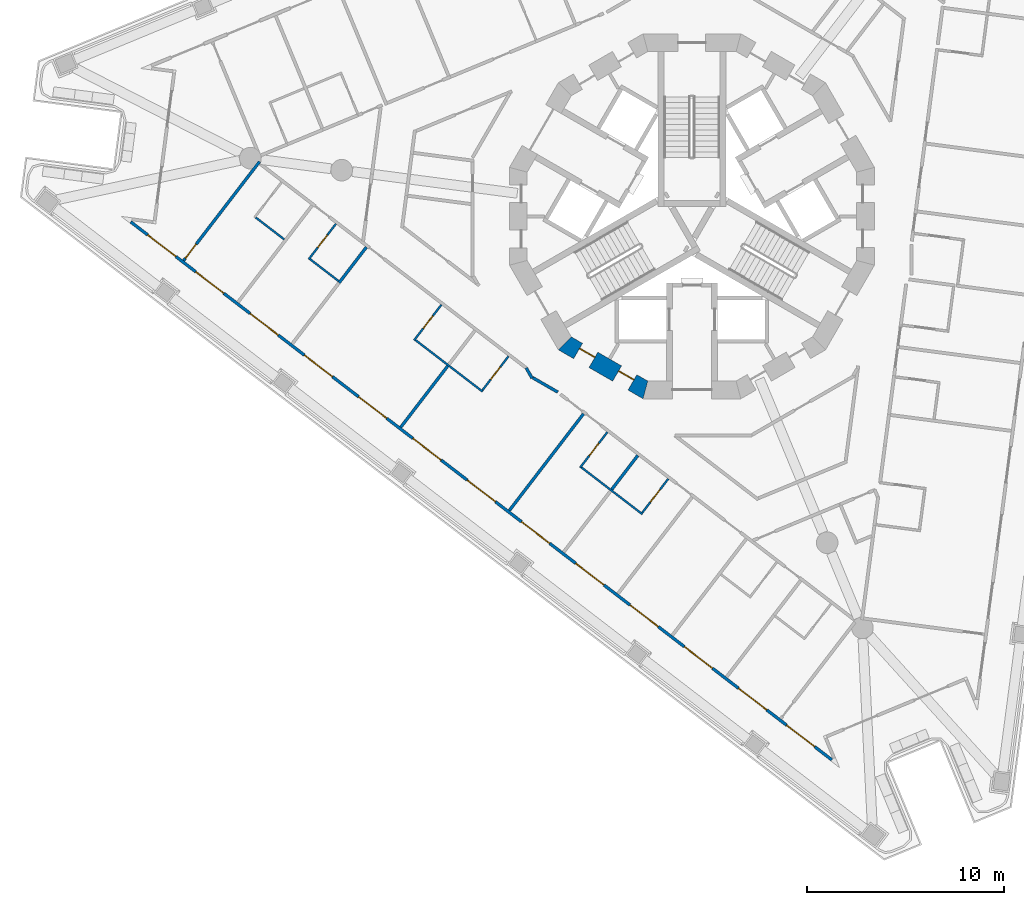
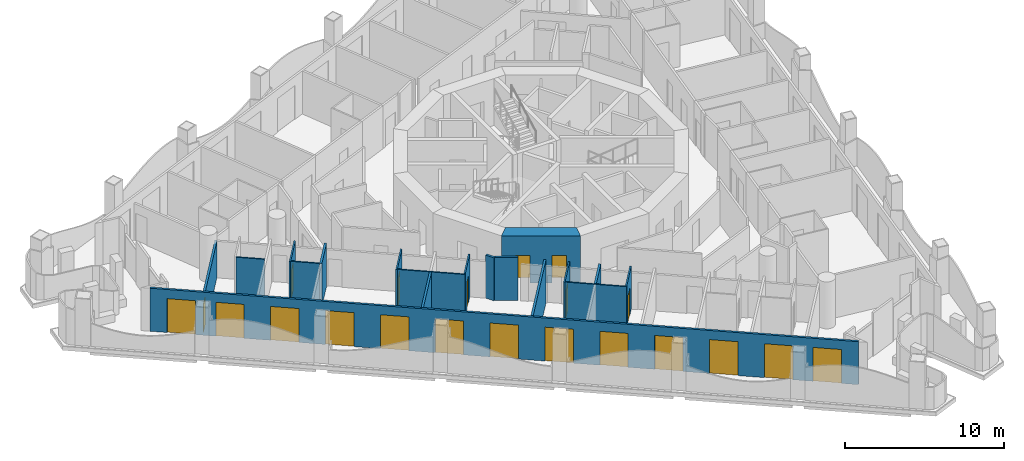
# One storey, part 2 of 17: 21 doors, 18 walls, 21 openings.
"""IFC4 building model written with IfcOpenShell, lengths in metres."""

from ifc_helpers import new_model, si_unit, direction, frame, frame_2d, origin, place, context, subcontext, project, spatial, polyline, rectangle, outline, extrude, material, layer, layer_set, type_object, element, fill, save


model = new_model("IFC4")

# Units and contexts
model_context = context("Model", 3, precision=1e-05, world=origin(), true_north=direction((0.0, 1.0)))
body_context = subcontext(model_context, "Body", "Model", "MODEL_VIEW")
ifc_project = project(units=[si_unit("LENGTHUNIT", "METRE"), si_unit("AREAUNIT", "SQUARE_METRE"), si_unit("VOLUMEUNIT", "CUBIC_METRE"), si_unit("PLANEANGLEUNIT", "RADIAN"), si_unit("MASSUNIT", "GRAM", prefix="KILO")], contexts=[model_context])

# Site, building, storey
site_placement = place(None, origin())
site = spatial("IfcSite", under=ifc_project, at=site_placement, CompositionType="ELEMENT")
building_placement = place(site_placement, origin())
building = spatial("IfcBuilding", under=site, at=building_placement, Name="Trine Commons Tower", CompositionType="ELEMENT")
storey_placement = place(building_placement, frame((0.0, 0.0, 131.39990234375)))
storey = spatial("IfcBuildingStorey", under=building, at=storey_placement, Name="L33", CompositionType="ELEMENT", Elevation=131.39990234375)

# Wall, openings, doors
ifc_material_1 = material(Name="Aluminium-framed insulated wall panel", Category="aluminium")
ifc_layer_1 = layer(ifc_material_1, 0.14990234375)
ifc_layer_set_1 = layer_set([ifc_layer_1], Name="Aluminium-framed insulated wall panel")
wall_type_1 = type_object("IfcWallType", Name="Glazed frame wall 150, EI 60", PredefinedType="SOLIDWALL", material=ifc_layer_set_1)
wall_1_placement = place(storey_placement, frame((87.22509765625, 34.786376953125, 0.0), z_axis=(0.0, 0.0, 1.0), x_axis=(-0.793353605974, 0.608761082764, 0.0)))
wall_1 = element("IfcWall", 1, at=wall_1_placement, inside=storey, type_object=wall_type_1, Name="Glazed frame wall F3", PredefinedType="SOLIDWALL", context=body_context, shape_type="SweptSolid", body=[
    extrude(outline(polyline([(0.1494140625, 0.074951171875), (0.1494140625, -0.074951171875), (45.056884765625, -0.074951171875), (45.056884765625, 0.074951171875), (0.1494140625, 0.074951171875)])), origin(), (0.0, 0.0, 1.0), 3.300048828125),
])
opening_1_placement = place(wall_1_placement, frame((1.23876953125, 0.0, 0.0)))
opening_1 = element("IfcOpeningElement", 2, at=opening_1_placement, cuts=wall_1, Name="Opening BD-4F3-01", PredefinedType="OPENING", context=body_context, shape_type="SweptSolid", body=[
    extrude(rectangle(XDim=1.800048828125, YDim=2.60009765625, at=frame_2d((0.89990234375, 1.300048828125))), frame((0.0, 0.0849609375, 0.0), z_axis=(0.0, -1.0, 0.0), x_axis=(1.0, 0.0, 0.0)), (0.0, 0.0, 1.0), 0.169921875),
])
opening_2_placement = place(wall_1_placement, frame((4.316162109375, 0.0, 0.0)))
opening_2 = element("IfcOpeningElement", 3, at=opening_2_placement, cuts=wall_1, Name="Opening BD-4F3-02", PredefinedType="OPENING", context=body_context, shape_type="SweptSolid", body=[
    extrude(rectangle(XDim=1.800048828125, YDim=2.60009765625, at=frame_2d((0.89990234375, 1.300048828125))), frame((0.0, 0.0849609375, 0.0), z_axis=(0.0, -1.0, 0.0), x_axis=(1.0, 0.0, 0.0)), (0.0, 0.0, 1.0), 0.169921875),
])
opening_3_placement = place(wall_1_placement, frame((7.79345703125, 0.0, 0.0)))
opening_3 = element("IfcOpeningElement", 4, at=opening_3_placement, cuts=wall_1, Name="Opening BD-4F3-03", PredefinedType="OPENING", context=body_context, shape_type="SweptSolid", body=[
    extrude(rectangle(XDim=1.800048828125, YDim=2.60009765625, at=frame_2d((0.89990234375, 1.300048828125))), frame((0.0, 0.0849609375, 0.0), z_axis=(0.0, -1.0, 0.0), x_axis=(1.0, 0.0, 0.0)), (0.0, 0.0, 1.0), 0.169921875),
])
opening_4_placement = place(wall_1_placement, frame((11.27099609375, 0.0, 0.0)))
opening_4 = element("IfcOpeningElement", 5, at=opening_4_placement, cuts=wall_1, Name="Opening BD-4F3-04", PredefinedType="OPENING", context=body_context, shape_type="SweptSolid", body=[
    extrude(rectangle(XDim=1.800048828125, YDim=2.60009765625, at=frame_2d((0.89990234375, 1.300048828125))), frame((0.0, 0.0849609375, 0.0), z_axis=(0.0, -1.0, 0.0), x_axis=(1.0, 0.0, 0.0)), (0.0, 0.0, 1.0), 0.169921875),
])
opening_5_placement = place(wall_1_placement, frame((14.748291015625, 0.0, 0.0)))
opening_5 = element("IfcOpeningElement", 6, at=opening_5_placement, cuts=wall_1, Name="Opening BD-4F3-05", PredefinedType="OPENING", context=body_context, shape_type="SweptSolid", body=[
    extrude(rectangle(XDim=1.800048828125, YDim=2.60009765625, at=frame_2d((0.89990234375, 1.300048828125))), frame((0.0, 0.0849609375, 0.0), z_axis=(0.0, -1.0, 0.0), x_axis=(1.0, 0.0, 0.0)), (0.0, 0.0, 1.0), 0.169921875),
])
opening_6_placement = place(wall_1_placement, frame((18.2255859375, 0.0, 0.0)))
opening_6 = element("IfcOpeningElement", 7, at=opening_6_placement, cuts=wall_1, Name="Opening BD-4F3-06", PredefinedType="OPENING", context=body_context, shape_type="SweptSolid", body=[
    extrude(rectangle(XDim=1.800048828125, YDim=2.60009765625, at=frame_2d((0.89990234375, 1.300048828125))), frame((0.0, 0.0849609375, 0.0), z_axis=(0.0, -1.0, 0.0), x_axis=(1.0, 0.0, 0.0)), (0.0, 0.0, 1.0), 0.169921875),
])
opening_7_placement = place(wall_1_placement, frame((21.703125, 0.0, 0.0)))
opening_7 = element("IfcOpeningElement", 8, at=opening_7_placement, cuts=wall_1, Name="Opening BD-4F3-07", PredefinedType="OPENING", context=body_context, shape_type="SweptSolid", body=[
    extrude(rectangle(XDim=1.800048828125, YDim=2.60009765625, at=frame_2d((0.89990234375, 1.300048828125))), frame((0.0, 0.0849609375, 0.0), z_axis=(0.0, -1.0, 0.0), x_axis=(1.0, 0.0, 0.0)), (0.0, 0.0, 1.0), 0.169921875),
])
opening_8_placement = place(wall_1_placement, frame((25.180419921875, 0.0, 0.0)))
opening_8 = element("IfcOpeningElement", 9, at=opening_8_placement, cuts=wall_1, Name="Opening BD-4F3-08", PredefinedType="OPENING", context=body_context, shape_type="SweptSolid", body=[
    extrude(rectangle(XDim=1.800048828125, YDim=2.60009765625, at=frame_2d((0.89990234375, 1.300048828125))), frame((0.0, 0.0849609375, 0.0), z_axis=(0.0, -1.0, 0.0), x_axis=(1.0, 0.0, 0.0)), (0.0, 0.0, 1.0), 0.169921875),
])
opening_9_placement = place(wall_1_placement, frame((28.657958984375, 0.0, 0.0)))
opening_9 = element("IfcOpeningElement", 10, at=opening_9_placement, cuts=wall_1, Name="Opening BD-4F3-09", PredefinedType="OPENING", context=body_context, shape_type="SweptSolid", body=[
    extrude(rectangle(XDim=1.800048828125, YDim=2.60009765625, at=frame_2d((0.89990234375, 1.300048828125))), frame((0.0, 0.0849609375, 0.0), z_axis=(0.0, -1.0, 0.0), x_axis=(1.0, 0.0, 0.0)), (0.0, 0.0, 1.0), 0.169921875),
])
opening_10_placement = place(wall_1_placement, frame((32.13525390625, 0.0, 0.0)))
opening_10 = element("IfcOpeningElement", 11, at=opening_10_placement, cuts=wall_1, Name="Opening BD-4F3-10", PredefinedType="OPENING", context=body_context, shape_type="SweptSolid", body=[
    extrude(rectangle(XDim=1.800048828125, YDim=2.60009765625, at=frame_2d((0.89990234375, 1.300048828125))), frame((0.0, 0.0849609375, 0.0), z_axis=(0.0, -1.0, 0.0), x_axis=(1.0, 0.0, 0.0)), (0.0, 0.0, 1.0), 0.169921875),
])
opening_11_placement = place(wall_1_placement, frame((35.61279296875, 0.0, 0.0)))
opening_11 = element("IfcOpeningElement", 12, at=opening_11_placement, cuts=wall_1, Name="Opening BD-4F3-11", PredefinedType="OPENING", context=body_context, shape_type="SweptSolid", body=[
    extrude(rectangle(XDim=1.800048828125, YDim=2.60009765625, at=frame_2d((0.89990234375, 1.300048828125))), frame((0.0, 0.0849609375, 0.0), z_axis=(0.0, -1.0, 0.0), x_axis=(1.0, 0.0, 0.0)), (0.0, 0.0, 1.0), 0.169921875),
])
opening_12_placement = place(wall_1_placement, frame((39.090087890625, 0.0, 0.0)))
opening_12 = element("IfcOpeningElement", 13, at=opening_12_placement, cuts=wall_1, Name="Opening BD-4F3-12", PredefinedType="OPENING", context=body_context, shape_type="SweptSolid", body=[
    extrude(rectangle(XDim=1.800048828125, YDim=2.60009765625, at=frame_2d((0.89990234375, 1.300048828125))), frame((0.0, 0.0849609375, 0.0), z_axis=(0.0, -1.0, 0.0), x_axis=(1.0, 0.0, 0.0)), (0.0, 0.0, 1.0), 0.169921875),
])
opening_13_placement = place(wall_1_placement, frame((42.16748046875, 0.0, 0.0)))
opening_13 = element("IfcOpeningElement", 14, at=opening_13_placement, cuts=wall_1, Name="Opening BD-4F3-13", PredefinedType="OPENING", context=body_context, shape_type="SweptSolid", body=[
    extrude(rectangle(XDim=1.800048828125, YDim=2.60009765625, at=frame_2d((0.89990234375, 1.300048828125))), frame((0.0, 0.0849609375, 0.0), z_axis=(0.0, -1.0, 0.0), x_axis=(1.0, 0.0, 0.0)), (0.0, 0.0, 1.0), 0.169921875),
])
ifc_material_2 = material(Name="Anodised aluminium frame with double glazing", Category="aluminium")
door_type_1 = type_object("IfcDoorType", Name="Sliding loggia door 1800x2600", OperationType="SLIDING_TO_LEFT", PredefinedType="DOOR", material=ifc_material_2)
door_1_placement = place(opening_1_placement, origin())
door_1 = element("IfcDoor", 15, at=door_1_placement, inside=storey, type_object=door_type_1, Name="Loggia door F3 1", OperationType="SLIDING_TO_LEFT", OverallHeight=2.60009765625, OverallWidth=1.800048828125, PredefinedType="DOOR", context=body_context, shape_type="SweptSolid", body=[
    extrude(rectangle(XDim=1.800048828125, YDim=2.60009765625, at=frame_2d((0.89990234375, 1.300048828125))), frame((0.0, 0.02490234375, 0.0), z_axis=(0.0, -1.0, 0.0), x_axis=(1.0, 0.0, 0.0)), (0.0, 0.0, 1.0), 0.050048828125),
])
fill(opening_1, door_1)
door_2_placement = place(opening_2_placement, origin())
door_2 = element("IfcDoor", 16, at=door_2_placement, inside=storey, type_object=door_type_1, Name="Loggia door F3 2", OperationType="SLIDING_TO_LEFT", OverallHeight=2.60009765625, OverallWidth=1.800048828125, PredefinedType="DOOR", context=body_context, shape_type="SweptSolid", body=[
    extrude(rectangle(XDim=1.800048828125, YDim=2.60009765625, at=frame_2d((0.89990234375, 1.300048828125))), frame((0.0, 0.02490234375, 0.0), z_axis=(0.0, -1.0, 0.0), x_axis=(1.0, 0.0, 0.0)), (0.0, 0.0, 1.0), 0.050048828125),
])
fill(opening_2, door_2)
door_3_placement = place(opening_3_placement, origin())
door_3 = element("IfcDoor", 17, at=door_3_placement, inside=storey, type_object=door_type_1, Name="Loggia door F3 3", OperationType="SLIDING_TO_LEFT", OverallHeight=2.60009765625, OverallWidth=1.800048828125, PredefinedType="DOOR", context=body_context, shape_type="SweptSolid", body=[
    extrude(rectangle(XDim=1.800048828125, YDim=2.60009765625, at=frame_2d((0.89990234375, 1.300048828125))), frame((0.0, 0.02490234375, 0.0), z_axis=(0.0, -1.0, 0.0), x_axis=(1.0, 0.0, 0.0)), (0.0, 0.0, 1.0), 0.050048828125),
])
fill(opening_3, door_3)
door_4_placement = place(opening_4_placement, origin())
door_4 = element("IfcDoor", 18, at=door_4_placement, inside=storey, type_object=door_type_1, Name="Loggia door F3 4", OperationType="SLIDING_TO_LEFT", OverallHeight=2.60009765625, OverallWidth=1.800048828125, PredefinedType="DOOR", context=body_context, shape_type="SweptSolid", body=[
    extrude(rectangle(XDim=1.800048828125, YDim=2.60009765625, at=frame_2d((0.89990234375, 1.300048828125))), frame((0.0, 0.02490234375, 0.0), z_axis=(0.0, -1.0, 0.0), x_axis=(1.0, 0.0, 0.0)), (0.0, 0.0, 1.0), 0.050048828125),
])
fill(opening_4, door_4)
door_5_placement = place(opening_5_placement, origin())
door_5 = element("IfcDoor", 19, at=door_5_placement, inside=storey, type_object=door_type_1, Name="Loggia door F3 5", OperationType="SLIDING_TO_LEFT", OverallHeight=2.60009765625, OverallWidth=1.800048828125, PredefinedType="DOOR", context=body_context, shape_type="SweptSolid", body=[
    extrude(rectangle(XDim=1.800048828125, YDim=2.60009765625, at=frame_2d((0.89990234375, 1.300048828125))), frame((0.0, 0.02490234375, 0.0), z_axis=(0.0, -1.0, 0.0), x_axis=(1.0, 0.0, 0.0)), (0.0, 0.0, 1.0), 0.050048828125),
])
fill(opening_5, door_5)
door_6_placement = place(opening_6_placement, origin())
door_6 = element("IfcDoor", 20, at=door_6_placement, inside=storey, type_object=door_type_1, Name="Loggia door F3 6", OperationType="SLIDING_TO_LEFT", OverallHeight=2.60009765625, OverallWidth=1.800048828125, PredefinedType="DOOR", context=body_context, shape_type="SweptSolid", body=[
    extrude(rectangle(XDim=1.800048828125, YDim=2.60009765625, at=frame_2d((0.89990234375, 1.300048828125))), frame((0.0, 0.02490234375, 0.0), z_axis=(0.0, -1.0, 0.0), x_axis=(1.0, 0.0, 0.0)), (0.0, 0.0, 1.0), 0.050048828125),
])
fill(opening_6, door_6)
door_7_placement = place(opening_7_placement, origin())
door_7 = element("IfcDoor", 21, at=door_7_placement, inside=storey, type_object=door_type_1, Name="Loggia door F3 7", OperationType="SLIDING_TO_LEFT", OverallHeight=2.60009765625, OverallWidth=1.800048828125, PredefinedType="DOOR", context=body_context, shape_type="SweptSolid", body=[
    extrude(rectangle(XDim=1.800048828125, YDim=2.60009765625, at=frame_2d((0.89990234375, 1.300048828125))), frame((0.0, 0.02490234375, 0.0), z_axis=(0.0, -1.0, 0.0), x_axis=(1.0, 0.0, 0.0)), (0.0, 0.0, 1.0), 0.050048828125),
])
fill(opening_7, door_7)
door_8_placement = place(opening_8_placement, origin())
door_8 = element("IfcDoor", 22, at=door_8_placement, inside=storey, type_object=door_type_1, Name="Loggia door F3 8", OperationType="SLIDING_TO_LEFT", OverallHeight=2.60009765625, OverallWidth=1.800048828125, PredefinedType="DOOR", context=body_context, shape_type="SweptSolid", body=[
    extrude(rectangle(XDim=1.800048828125, YDim=2.60009765625, at=frame_2d((0.89990234375, 1.300048828125))), frame((0.0, 0.02490234375, 0.0), z_axis=(0.0, -1.0, 0.0), x_axis=(1.0, 0.0, 0.0)), (0.0, 0.0, 1.0), 0.050048828125),
])
fill(opening_8, door_8)
door_9_placement = place(opening_9_placement, origin())
door_9 = element("IfcDoor", 23, at=door_9_placement, inside=storey, type_object=door_type_1, Name="Loggia door F3 9", OperationType="SLIDING_TO_LEFT", OverallHeight=2.60009765625, OverallWidth=1.800048828125, PredefinedType="DOOR", context=body_context, shape_type="SweptSolid", body=[
    extrude(rectangle(XDim=1.800048828125, YDim=2.60009765625, at=frame_2d((0.89990234375, 1.300048828125))), frame((0.0, 0.02490234375, 0.0), z_axis=(0.0, -1.0, 0.0), x_axis=(1.0, 0.0, 0.0)), (0.0, 0.0, 1.0), 0.050048828125),
])
fill(opening_9, door_9)
door_10_placement = place(opening_10_placement, origin())
door_10 = element("IfcDoor", 24, at=door_10_placement, inside=storey, type_object=door_type_1, Name="Loggia door F3 10", OperationType="SLIDING_TO_LEFT", OverallHeight=2.60009765625, OverallWidth=1.800048828125, PredefinedType="DOOR", context=body_context, shape_type="SweptSolid", body=[
    extrude(rectangle(XDim=1.800048828125, YDim=2.60009765625, at=frame_2d((0.89990234375, 1.300048828125))), frame((0.0, 0.02490234375, 0.0), z_axis=(0.0, -1.0, 0.0), x_axis=(1.0, 0.0, 0.0)), (0.0, 0.0, 1.0), 0.050048828125),
])
fill(opening_10, door_10)
door_11_placement = place(opening_11_placement, origin())
door_11 = element("IfcDoor", 25, at=door_11_placement, inside=storey, type_object=door_type_1, Name="Loggia door F3 11", OperationType="SLIDING_TO_LEFT", OverallHeight=2.60009765625, OverallWidth=1.800048828125, PredefinedType="DOOR", context=body_context, shape_type="SweptSolid", body=[
    extrude(rectangle(XDim=1.800048828125, YDim=2.60009765625, at=frame_2d((0.89990234375, 1.300048828125))), frame((0.0, 0.02490234375, 0.0), z_axis=(0.0, -1.0, 0.0), x_axis=(1.0, 0.0, 0.0)), (0.0, 0.0, 1.0), 0.050048828125),
])
fill(opening_11, door_11)
door_12_placement = place(opening_12_placement, origin())
door_12 = element("IfcDoor", 26, at=door_12_placement, inside=storey, type_object=door_type_1, Name="Loggia door F3 12", OperationType="SLIDING_TO_LEFT", OverallHeight=2.60009765625, OverallWidth=1.800048828125, PredefinedType="DOOR", context=body_context, shape_type="SweptSolid", body=[
    extrude(rectangle(XDim=1.800048828125, YDim=2.60009765625, at=frame_2d((0.89990234375, 1.300048828125))), frame((0.0, 0.02490234375, 0.0), z_axis=(0.0, -1.0, 0.0), x_axis=(1.0, 0.0, 0.0)), (0.0, 0.0, 1.0), 0.050048828125),
])
fill(opening_12, door_12)
door_13_placement = place(opening_13_placement, origin())
door_13 = element("IfcDoor", 27, at=door_13_placement, inside=storey, type_object=door_type_1, Name="Loggia door F3 13", OperationType="SLIDING_TO_LEFT", OverallHeight=2.60009765625, OverallWidth=1.800048828125, PredefinedType="DOOR", context=body_context, shape_type="SweptSolid", body=[
    extrude(rectangle(XDim=1.800048828125, YDim=2.60009765625, at=frame_2d((0.89990234375, 1.300048828125))), frame((0.0, 0.02490234375, 0.0), z_axis=(0.0, -1.0, 0.0), x_axis=(1.0, 0.0, 0.0)), (0.0, 0.0, 1.0), 0.050048828125),
])
fill(opening_13, door_13)

ifc_material_3 = material(Name="Concrete C70/85", Category="concrete")
ifc_layer_2 = layer(ifc_material_3, 0.89990234375)
ifc_layer_set_2 = layer_set([ifc_layer_2], Name="Concrete C70/85")
wall_type_2 = type_object("IfcWallType", Name="RC shear wall 900 mm, C70/85", PredefinedType="SHEAR", material=ifc_layer_set_2)
wall_2_placement = place(storey_placement, frame((73.436767578125, 56.1015625, 0.0), z_axis=(0.0, 0.0, 1.0), x_axis=(0.866003133579, -0.500038571144, 0.0)))
wall_2 = element("IfcWall", 28, at=wall_2_placement, inside=storey, type_object=wall_type_2, Name="Core wall CWD-09 L33", PredefinedType="SHEAR", context=body_context, shape_type="SweptSolid", body=[
    extrude(outline(polyline([(0.0, -0.449951171875), (4.96923828125, -0.449951171875), (4.72802734375, 0.449951171875), (0.2412109375, 0.449951171875), (0.0, -0.449951171875)])), origin(), (0.0, 0.0, 1.0), 3.60009765625),
])
opening_14_placement = place(wall_2_placement, frame((0.89599609375, 0.0, 0.0)))
opening_14 = element("IfcOpeningElement", 29, at=opening_14_placement, cuts=wall_2, Name="Opening K12.18", PredefinedType="OPENING", context=body_context, shape_type="SweptSolid", body=[
    extrude(rectangle(XDim=0.89990234375, YDim=2.10009765625, at=frame_2d((0.449951171875, 1.050048828125))), frame((0.0, 0.4599609375, 0.0), z_axis=(0.0, -1.0, 0.0), x_axis=(1.0, 0.0, 0.0)), (0.0, 0.0, 1.0), 0.919921875),
])
opening_15_placement = place(wall_2_placement, frame((3.18505859375, 0.0, 0.0)))
opening_15 = element("IfcOpeningElement", 30, at=opening_15_placement, cuts=wall_2, Name="Opening K12.19", PredefinedType="OPENING", context=body_context, shape_type="SweptSolid", body=[
    extrude(rectangle(XDim=0.89990234375, YDim=2.10009765625, at=frame_2d((0.449951171875, 1.050048828125))), frame((0.0, 0.4599609375, 0.0), z_axis=(0.0, -1.0, 0.0), x_axis=(1.0, 0.0, 0.0)), (0.0, 0.0, 1.0), 0.919921875),
])
ifc_material_4 = material(Name="Steel door leaf, fire-rated", Category="steel")
door_type_2 = type_object("IfcDoorType", Name="Core room door, single leaf 900 x 2100, FD30S", OperationType="SINGLE_SWING_LEFT", PredefinedType="DOOR", material=ifc_material_4)
door_14_placement = place(opening_14_placement, origin())
door_14 = element("IfcDoor", 31, at=door_14_placement, inside=storey, type_object=door_type_2, Name="Door to Print room L33", OperationType="SINGLE_SWING_LEFT", OverallHeight=2.10009765625, OverallWidth=0.89990234375, PredefinedType="DOOR", context=body_context, shape_type="SweptSolid", body=[
    extrude(rectangle(XDim=0.89990234375, YDim=2.10009765625, at=frame_2d((0.449951171875, 1.050048828125))), frame((0.0, 0.1748046875, 0.0), z_axis=(0.0, -1.0, 0.0), x_axis=(1.0, 0.0, 0.0)), (0.0, 0.0, 1.0), 0.050048828125),
])
fill(opening_14, door_14)
door_15_placement = place(opening_15_placement, origin())
door_15 = element("IfcDoor", 32, at=door_15_placement, inside=storey, type_object=door_type_2, Name="Door to Core WC L33", OperationType="SINGLE_SWING_RIGHT", OverallHeight=2.10009765625, OverallWidth=0.89990234375, PredefinedType="DOOR", context=body_context, shape_type="SweptSolid", body=[
    extrude(rectangle(XDim=0.89990234375, YDim=2.10009765625, at=frame_2d((0.449951171875, 1.050048828125))), frame((0.0, 0.1748046875, 0.0), z_axis=(0.0, -1.0, 0.0), x_axis=(1.0, 0.0, 0.0)), (0.0, 0.0, 1.0), 0.050048828125),
])
fill(opening_15, door_15)

# Wall, opening, door
ifc_material_5 = material(Name="Gypsum plasterboard on steel stud", Category="steel")
ifc_layer_3 = layer(ifc_material_5, 0.14990234375)
ifc_layer_set_3 = layer_set([ifc_layer_3], Name="Gypsum plasterboard on steel stud")
wall_type_3 = type_object("IfcWallType", Name="Unit and corridor wall 150 mm, EI 60", PredefinedType="PARTITIONING", material=ifc_layer_set_3)
wall_3_placement = place(storey_placement, frame((54.165283203125, 60.248779296875, 0.0), z_axis=(0.0, 0.0, 1.0), x_axis=(0.608817658648, 0.793310190605, 0.0)))
wall_3 = element("IfcWall", 33, at=wall_3_placement, inside=storey, type_object=wall_type_3, Name="Partition 001", PredefinedType="PARTITIONING", context=body_context, shape_type="SweptSolid", body=[
    extrude(rectangle(XDim=6.343994140625, YDim=0.14990234375, at=frame_2d((3.171875, 0.0))), origin(), (0.0, 0.0, 1.0), 2.800048828125),
])
opening_16_placement = place(wall_3_placement, frame((0.14990234375, 0.0, 0.0)))
opening_16 = element("IfcOpeningElement", 34, at=opening_16_placement, cuts=wall_3, Name="Opening D-4A31", PredefinedType="OPENING", context=body_context, shape_type="SweptSolid", body=[
    extrude(rectangle(XDim=0.89990234375, YDim=2.10009765625, at=frame_2d((0.449951171875, 1.050048828125))), frame((0.0, 0.0849609375, 0.0), z_axis=(0.0, -1.0, 0.0), x_axis=(1.0, 0.0, 0.0)), (0.0, 0.0, 1.0), 0.169921875),
])
ifc_material_6 = material(Name="Timber fire door set", Category="wood")
door_type_3 = type_object("IfcDoorType", Name="Bedroom door 900 x 2100, FD30S", OperationType="NOTDEFINED", PredefinedType="DOOR", material=ifc_material_6)
door_16_placement = place(opening_16_placement, frame((0.89990234375, 0.0, 0.0), z_axis=(0.0, 0.0, 1.0), x_axis=(-1.0, 0.0, 0.0)))
door_16 = element("IfcDoor", 35, at=door_16_placement, inside=storey, type_object=door_type_3, Name="Door D-4A31", OperationType="SINGLE_SWING_RIGHT", OverallHeight=2.10009765625, OverallWidth=0.89990234375, PredefinedType="DOOR", context=body_context, shape_type="SweptSolid", body=[
    extrude(rectangle(XDim=0.89990234375, YDim=2.10009765625, at=frame_2d((0.449951171875, 1.050048828125))), frame((0.0, 0.02490234375, 0.0), z_axis=(0.0, -1.0, 0.0), x_axis=(1.0, 0.0, 0.0)), (0.0, 0.0, 1.0), 0.050048828125),
])
fill(opening_16, door_16)

# Walls
wall_4_placement = place(storey_placement, frame((62.066650390625, 59.121337890625, 0.0), z_axis=(0.0, 0.0, 1.0), x_axis=(0.608570992326, 0.793499431191, 0.0)))
element("IfcWall", 36, at=wall_4_placement, inside=storey, type_object=wall_type_3, Name="Partition 018", PredefinedType="PARTITIONING", context=body_context, shape_type="SweptSolid", body=[
    extrude(rectangle(XDim=2.278564453125, YDim=0.14990234375, at=frame_2d((1.13916015625, 0.0))), origin(), (0.0, 0.0, 1.0), 3.300048828125),
])
wall_5_placement = place(storey_placement, frame((65.200439453125, 51.78076171875, 0.0), z_axis=(0.0, 0.0, 1.0), x_axis=(0.608783231907, 0.793336609863, 0.0)))
element("IfcWall", 37, at=wall_5_placement, inside=storey, type_object=wall_type_3, Name="Partition 025", PredefinedType="PARTITIONING", context=body_context, shape_type="SweptSolid", body=[
    extrude(rectangle(XDim=3.919677734375, YDim=0.14990234375, at=frame_2d((1.9599609375, 0.0))), origin(), (0.0, 0.0, 1.0), 3.300048828125),
])
wall_6_placement = place(storey_placement, frame((70.71826171875, 47.547607421875, 0.0), z_axis=(0.0, 0.0, 1.0), x_axis=(0.608712047114, 0.79339122991, 0.0)))
element("IfcWall", 38, at=wall_6_placement, inside=storey, type_object=wall_type_3, Name="Partition 042", PredefinedType="PARTITIONING", context=body_context, shape_type="SweptSolid", body=[
    extrude(rectangle(XDim=6.193359375, YDim=0.14990234375, at=frame_2d((3.0966796875, 0.0))), origin(), (0.0, 0.0, 1.0), 3.300048828125),
])
wall_7_placement = place(storey_placement, frame((71.575927734375, 54.794921875, 0.0), z_axis=(0.0, 0.0, 1.0), x_axis=(0.499675599625, -0.866212615435, 0.0)))
element("IfcWall", 39, at=wall_7_placement, inside=storey, type_object=wall_type_3, Name="Partition 045", PredefinedType="PARTITIONING", context=body_context, shape_type="SweptSolid", body=[
    extrude(rectangle(XDim=0.6015625, YDim=0.14990234375, at=frame_2d((0.30078125, 0.0))), origin(), (0.0, 0.0, 1.0), 3.300048828125),
])
wall_8_placement = place(storey_placement, frame((71.904052734375, 54.301513671875, 0.0), z_axis=(0.0, 0.0, 1.0), x_axis=(0.866086395302, -0.499894344709, 0.0)))
element("IfcWall", 40, at=wall_8_placement, inside=storey, type_object=wall_type_3, Name="Partition 047", PredefinedType="PARTITIONING", context=body_context, shape_type="SweptSolid", body=[
    extrude(rectangle(XDim=1.475341796875, YDim=0.14990234375, at=frame_2d((0.73779296875, 0.0))), origin(), (0.0, 0.0, 1.0), 3.300048828125),
])
wall_9_placement = place(storey_placement, frame((75.92333984375, 48.61865234375, 0.0), z_axis=(0.0, 0.0, 1.0), x_axis=(0.608674216197, 0.79342025342, 0.0)))
element("IfcWall", 41, at=wall_9_placement, inside=storey, type_object=wall_type_3, Name="Partition 056", PredefinedType="PARTITIONING", context=body_context, shape_type="SweptSolid", body=[
    extrude(rectangle(XDim=2.17529296875, YDim=0.14990234375, at=frame_2d((1.087646484375, 0.0))), origin(), (0.0, 0.0, 1.0), 3.300048828125),
])
ifc_layer_4 = layer(ifc_material_5, 0.10009765625)
ifc_layer_set_4 = layer_set([ifc_layer_4], Name="Gypsum plasterboard on steel stud")
wall_type_4 = type_object("IfcWallType", Name="Unit partition 100 mm, no rating", PredefinedType="PARTITIONING", material=ifc_layer_set_4)
wall_10_placement = place(storey_placement, frame((57.832763671875, 62.4375, 0.0), z_axis=(0.0, 0.0, 1.0), x_axis=(0.793369431695, -0.608740457709, 0.0)))
element("IfcWall", 42, at=wall_10_placement, inside=storey, type_object=wall_type_4, Name="Partition 005", PredefinedType="PARTITIONING", context=body_context, shape_type="SweptSolid", body=[
    extrude(rectangle(XDim=1.82470703125, YDim=0.10009765625, at=frame_2d((0.912353515625, 0.0))), origin(), (0.0, 0.0, 1.0), 3.300048828125),
])

# Wall, opening, door
wall_11_placement = place(storey_placement, frame((60.521484375, 60.311279296875, 0.0), z_axis=(0.0, 0.0, 1.0), x_axis=(0.608719842686, 0.793385248867, 0.0)))
wall_11 = element("IfcWall", 43, at=wall_11_placement, inside=storey, type_object=wall_type_4, Name="Partition 014", PredefinedType="PARTITIONING", context=body_context, shape_type="SweptSolid", body=[
    extrude(rectangle(XDim=2.275390625, YDim=0.10009765625, at=frame_2d((1.1376953125, 0.0))), origin(), (0.0, 0.0, 1.0), 3.300048828125),
])
opening_17_placement = place(wall_11_placement, frame((0.762451171875, 0.0, 0.0)))
opening_17 = element("IfcOpeningElement", 44, at=opening_17_placement, cuts=wall_11, Name="Opening D-4A57", PredefinedType="OPENING", context=body_context, shape_type="SweptSolid", body=[
    extrude(rectangle(XDim=0.800048828125, YDim=2.10009765625, at=frame_2d((0.39990234375, 1.050048828125))), frame((0.0, 0.06005859375, 0.0), z_axis=(0.0, -1.0, 0.0), x_axis=(1.0, 0.0, 0.0)), (0.0, 0.0, 1.0), 0.1201171875),
])
ifc_material_7 = material(Name="Painted timber", Category="wood")
door_type_4 = type_object("IfcDoorType", Name="Internal door 800 x 2100, NOT RATED", OperationType="NOTDEFINED", PredefinedType="DOOR", material=ifc_material_7)
door_17_placement = place(opening_17_placement, origin())
door_17 = element("IfcDoor", 45, at=door_17_placement, inside=storey, type_object=door_type_4, Name="Door D-4A57", OperationType="SINGLE_SWING_RIGHT", OverallHeight=2.10009765625, OverallWidth=0.800048828125, PredefinedType="DOOR", context=body_context, shape_type="SweptSolid", body=[
    extrude(rectangle(XDim=0.800048828125, YDim=2.10009765625, at=frame_2d((0.39990234375, 1.050048828125))), frame((0.0, 0.02490234375, 0.0), z_axis=(0.0, -1.0, 0.0), x_axis=(1.0, 0.0, 0.0)), (0.0, 0.0, 1.0), 0.050048828125),
])
fill(opening_17, door_17)

# Wall
wall_12_placement = place(storey_placement, frame((60.591796875, 60.320556640625, 0.0), z_axis=(0.0, 0.0, 1.0), x_axis=(0.793369431695, -0.608740457709, 0.0)))
element("IfcWall", 46, at=wall_12_placement, inside=storey, type_object=wall_type_4, Name="Partition 015", PredefinedType="PARTITIONING", context=body_context, shape_type="SweptSolid", body=[
    extrude(rectangle(XDim=1.82470703125, YDim=0.10009765625, at=frame_2d((0.912353515625, 0.0))), origin(), (0.0, 0.0, 1.0), 3.300048828125),
])

# Wall, opening, door
wall_13_placement = place(storey_placement, frame((65.880615234375, 56.19921875, 0.0), z_axis=(0.0, 0.0, 1.0), x_axis=(0.608652294224, 0.793437070432, 0.0)))
wall_13 = element("IfcWall", 47, at=wall_13_placement, inside=storey, type_object=wall_type_4, Name="Partition 033", PredefinedType="PARTITIONING", context=body_context, shape_type="SweptSolid", body=[
    extrude(rectangle(XDim=2.275146484375, YDim=0.10009765625, at=frame_2d((1.1376953125, 0.0))), origin(), (0.0, 0.0, 1.0), 3.300048828125),
])
opening_18_placement = place(wall_13_placement, frame((0.762451171875, 0.0, 0.0)))
opening_18 = element("IfcOpeningElement", 48, at=opening_18_placement, cuts=wall_13, Name="Opening D-4A56", PredefinedType="OPENING", context=body_context, shape_type="SweptSolid", body=[
    extrude(rectangle(XDim=0.800048828125, YDim=2.10009765625, at=frame_2d((0.39990234375, 1.050048828125))), frame((0.0, 0.06005859375, 0.0), z_axis=(0.0, -1.0, 0.0), x_axis=(1.0, 0.0, 0.0)), (0.0, 0.0, 1.0), 0.1201171875),
])
door_18_placement = place(opening_18_placement, origin())
door_18 = element("IfcDoor", 49, at=door_18_placement, inside=storey, type_object=door_type_4, Name="Door D-4A56", OperationType="SINGLE_SWING_RIGHT", OverallHeight=2.10009765625, OverallWidth=0.800048828125, PredefinedType="DOOR", context=body_context, shape_type="SweptSolid", body=[
    extrude(rectangle(XDim=0.800048828125, YDim=2.10009765625, at=frame_2d((0.39990234375, 1.050048828125))), frame((0.0, 0.02490234375, 0.0), z_axis=(0.0, -1.0, 0.0), x_axis=(1.0, 0.0, 0.0)), (0.0, 0.0, 1.0), 0.050048828125),
])
fill(opening_18, door_18)

# Wall
wall_14_placement = place(storey_placement, frame((65.95068359375, 56.20849609375, 0.0), z_axis=(0.0, 0.0, 1.0), x_axis=(0.793301035436, -0.60882958796, 0.0)))
element("IfcWall", 50, at=wall_14_placement, inside=storey, type_object=wall_type_4, Name="Partition 034", PredefinedType="PARTITIONING", context=body_context, shape_type="SweptSolid", body=[
    extrude(rectangle(XDim=4.2998046875, YDim=0.10009765625, at=frame_2d((2.14990234375, 0.0))), origin(), (0.0, 0.0, 1.0), 3.300048828125),
])

# Wall, opening, door
wall_15_placement = place(storey_placement, frame((69.352294921875, 53.66064453125, 0.0), z_axis=(0.0, 0.0, 1.0), x_axis=(0.608744865415, 0.793366049709, 0.0)))
wall_15 = element("IfcWall", 51, at=wall_15_placement, inside=storey, type_object=wall_type_4, Name="Partition 041", PredefinedType="PARTITIONING", context=body_context, shape_type="SweptSolid", body=[
    extrude(rectangle(XDim=2.17529296875, YDim=0.10009765625, at=frame_2d((1.087646484375, 0.0))), origin(), (0.0, 0.0, 1.0), 3.300048828125),
])
opening_19_placement = place(wall_15_placement, frame((0.6875, 0.0, 0.0)))
opening_19 = element("IfcOpeningElement", 52, at=opening_19_placement, cuts=wall_15, Name="Opening D-4A55", PredefinedType="OPENING", context=body_context, shape_type="SweptSolid", body=[
    extrude(rectangle(XDim=0.800048828125, YDim=2.10009765625, at=frame_2d((0.39990234375, 1.050048828125))), frame((0.0, 0.06005859375, 0.0), z_axis=(0.0, -1.0, 0.0), x_axis=(1.0, 0.0, 0.0)), (0.0, 0.0, 1.0), 0.1201171875),
])
door_19_placement = place(opening_19_placement, frame((0.800048828125, 0.0, 0.0), z_axis=(0.0, 0.0, 1.0), x_axis=(-1.0, 0.0, 0.0)))
door_19 = element("IfcDoor", 53, at=door_19_placement, inside=storey, type_object=door_type_4, Name="Door D-4A55", OperationType="SINGLE_SWING_LEFT", OverallHeight=2.10009765625, OverallWidth=0.800048828125, PredefinedType="DOOR", context=body_context, shape_type="SweptSolid", body=[
    extrude(rectangle(XDim=0.800048828125, YDim=2.10009765625, at=frame_2d((0.39990234375, 1.050048828125))), frame((0.0, 0.02490234375, 0.0), z_axis=(0.0, -1.0, 0.0), x_axis=(1.0, 0.0, 0.0)), (0.0, 0.0, 1.0), 0.050048828125),
])
fill(opening_19, door_19)

wall_16_placement = place(storey_placement, frame((74.315673828125, 49.726318359375, 0.0), z_axis=(0.0, 0.0, 1.0), x_axis=(0.608652294224, 0.793437070432, 0.0)))
wall_16 = element("IfcWall", 54, at=wall_16_placement, inside=storey, type_object=wall_type_4, Name="Partition 052", PredefinedType="PARTITIONING", context=body_context, shape_type="SweptSolid", body=[
    extrude(rectangle(XDim=2.275146484375, YDim=0.10009765625, at=frame_2d((1.1376953125, 0.0))), origin(), (0.0, 0.0, 1.0), 3.300048828125),
])
opening_20_placement = place(wall_16_placement, frame((0.762451171875, 0.0, 0.0)))
opening_20 = element("IfcOpeningElement", 55, at=opening_20_placement, cuts=wall_16, Name="Opening D-4A54", PredefinedType="OPENING", context=body_context, shape_type="SweptSolid", body=[
    extrude(rectangle(XDim=0.800048828125, YDim=2.10009765625, at=frame_2d((0.39990234375, 1.050048828125))), frame((0.0, 0.06005859375, 0.0), z_axis=(0.0, -1.0, 0.0), x_axis=(1.0, 0.0, 0.0)), (0.0, 0.0, 1.0), 0.1201171875),
])
door_20_placement = place(opening_20_placement, origin())
door_20 = element("IfcDoor", 56, at=door_20_placement, inside=storey, type_object=door_type_4, Name="Door D-4A54", OperationType="SINGLE_SWING_RIGHT", OverallHeight=2.10009765625, OverallWidth=0.800048828125, PredefinedType="DOOR", context=body_context, shape_type="SweptSolid", body=[
    extrude(rectangle(XDim=0.800048828125, YDim=2.10009765625, at=frame_2d((0.39990234375, 1.050048828125))), frame((0.0, 0.02490234375, 0.0), z_axis=(0.0, -1.0, 0.0), x_axis=(1.0, 0.0, 0.0)), (0.0, 0.0, 1.0), 0.050048828125),
])
fill(opening_20, door_20)

# Wall
wall_17_placement = place(storey_placement, frame((74.3857421875, 49.735595703125, 0.0), z_axis=(0.0, 0.0, 1.0), x_axis=(0.793363466367, -0.608748232222, 0.0)))
element("IfcWall", 57, at=wall_17_placement, inside=storey, type_object=wall_type_4, Name="Partition 053", PredefinedType="PARTITIONING", context=body_context, shape_type="SweptSolid", body=[
    extrude(rectangle(XDim=3.89990234375, YDim=0.10009765625, at=frame_2d((1.949951171875, 0.0))), origin(), (0.0, 0.0, 1.0), 3.300048828125),
])

# Wall, opening, door
wall_18_placement = place(storey_placement, frame((77.470458984375, 47.431640625, 0.0), z_axis=(0.0, 0.0, 1.0), x_axis=(0.608674216197, 0.79342025342, 0.0)))
wall_18 = element("IfcWall", 58, at=wall_18_placement, inside=storey, type_object=wall_type_4, Name="Partition 058", PredefinedType="PARTITIONING", context=body_context, shape_type="SweptSolid", body=[
    extrude(rectangle(XDim=2.17529296875, YDim=0.10009765625, at=frame_2d((1.087646484375, 0.0))), origin(), (0.0, 0.0, 1.0), 3.300048828125),
])
opening_21_placement = place(wall_18_placement, frame((0.6875, 0.0, 0.0)))
opening_21 = element("IfcOpeningElement", 59, at=opening_21_placement, cuts=wall_18, Name="Opening D-4A53", PredefinedType="OPENING", context=body_context, shape_type="SweptSolid", body=[
    extrude(rectangle(XDim=0.800048828125, YDim=2.10009765625, at=frame_2d((0.39990234375, 1.050048828125))), frame((0.0, 0.06005859375, 0.0), z_axis=(0.0, -1.0, 0.0), x_axis=(1.0, 0.0, 0.0)), (0.0, 0.0, 1.0), 0.1201171875),
])
door_21_placement = place(opening_21_placement, frame((0.800048828125, 0.0, 0.0), z_axis=(0.0, 0.0, 1.0), x_axis=(-1.0, 0.0, 0.0)))
door_21 = element("IfcDoor", 60, at=door_21_placement, inside=storey, type_object=door_type_4, Name="Door D-4A53", OperationType="SINGLE_SWING_LEFT", OverallHeight=2.10009765625, OverallWidth=0.800048828125, PredefinedType="DOOR", context=body_context, shape_type="SweptSolid", body=[
    extrude(rectangle(XDim=0.800048828125, YDim=2.10009765625, at=frame_2d((0.39990234375, 1.050048828125))), frame((0.0, 0.02490234375, 0.0), z_axis=(0.0, -1.0, 0.0), x_axis=(1.0, 0.0, 0.0)), (0.0, 0.0, 1.0), 0.050048828125),
])
fill(opening_21, door_21)

save(model, "model.ifc")
